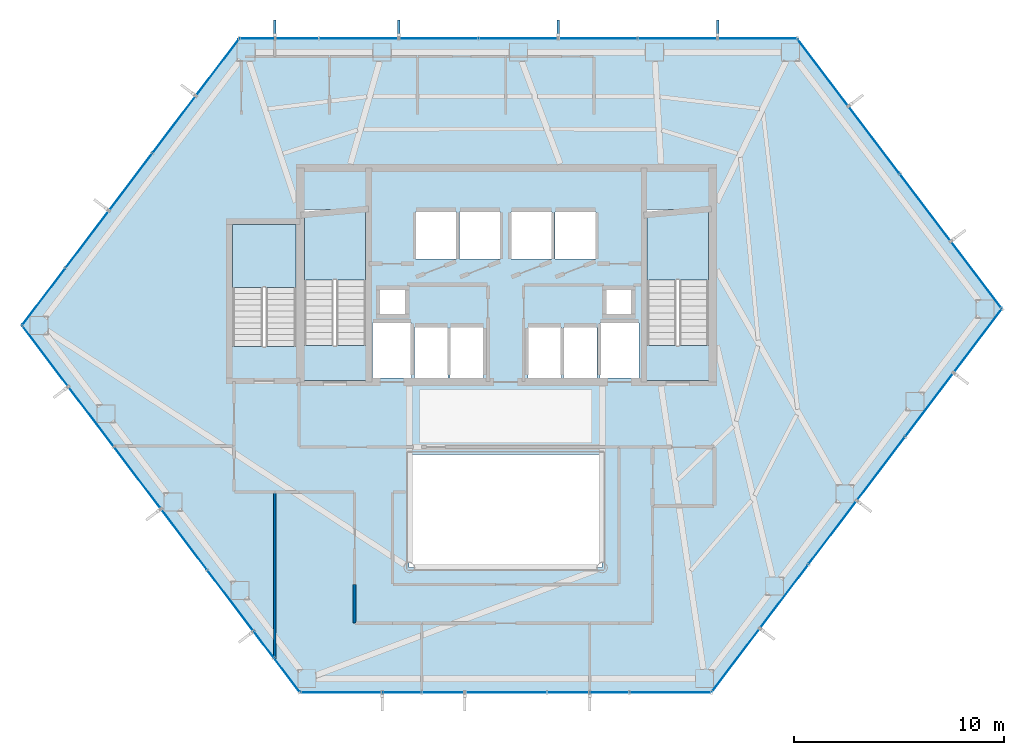
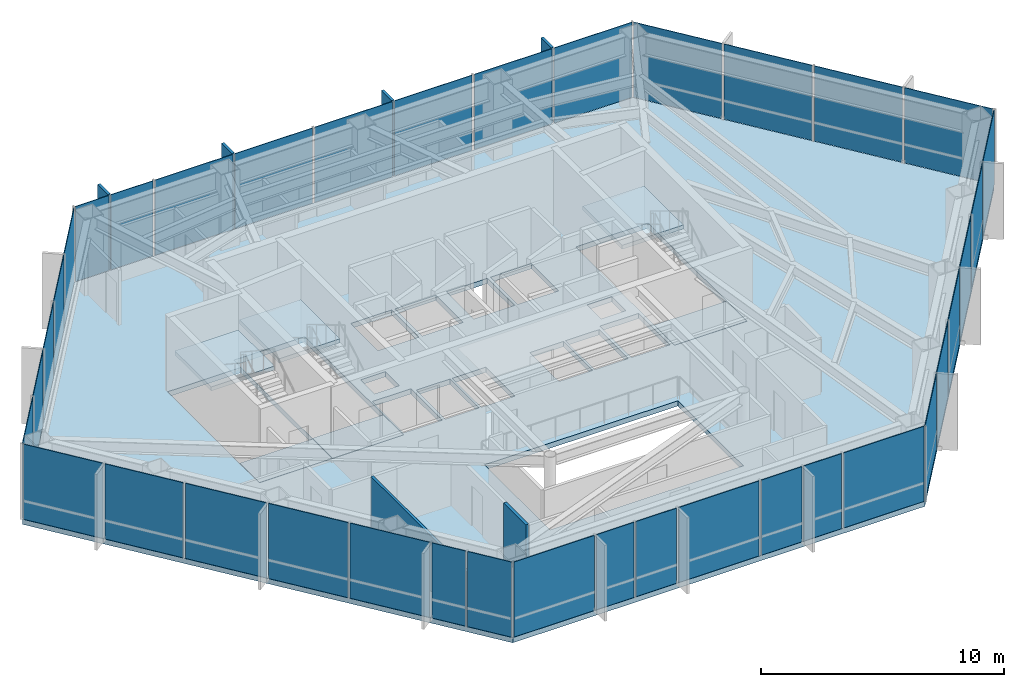
# One storey, part 21 of 25: 37 plates, 7 slabs, 4 members, 2 walls, 9 elements without a shape of their own.
"""IFC4 building model written with IfcOpenShell, lengths in metres."""

from ifc_helpers import new_model, si_unit, direction, frame, frame_2d, origin, origin_2d, place, context, subcontext, project, spatial, polyline, rectangle, outline, extrude, material, layer, layer_set, material_profile, profile_set, type_object, element, aggregate, save


model = new_model("IFC4")

# Units and contexts
model_context = context("Model", 3, precision=1e-05, world=origin(), true_north=direction((0.0, 1.0)))
body_context = subcontext(model_context, "Body", "Model", "MODEL_VIEW")
ifc_project = project(units=[si_unit("LENGTHUNIT", "METRE"), si_unit("AREAUNIT", "SQUARE_METRE"), si_unit("VOLUMEUNIT", "CUBIC_METRE"), si_unit("PLANEANGLEUNIT", "RADIAN"), si_unit("MASSUNIT", "GRAM", prefix="KILO")], contexts=[model_context])

# Site, building, storey
site_placement = place(None, origin())
site = spatial("IfcSite", under=ifc_project, at=site_placement, CompositionType="ELEMENT")
building_placement = place(site_placement, origin())
building = spatial("IfcBuilding", under=site, at=building_placement, Name="Zarrinselat Tower", CompositionType="ELEMENT")
storey_placement = place(building_placement, frame((0.0, 0.0, 84.659912109375)))
storey = spatial("IfcBuildingStorey", under=building, at=storey_placement, Name="L20", CompositionType="ELEMENT", Elevation=84.659912109375)

# Curtain wall, members, plates
ifc_material_1 = material(Name="Extruded Aluminium Alloy EN AW-6063 T6", Category="aluminium")
ifc_layer_1 = layer(ifc_material_1, 0.18505859375)
ifc_layer_set_1 = layer_set([ifc_layer_1], Name="Extruded Aluminium Alloy EN AW-6063 T6")
curtain_wall_type = type_object("IfcCurtainWallType", Name="CWS-OFF", PredefinedType="NOTDEFINED", material=ifc_layer_set_1)
curtain_wall_1_placement = place(storey_placement, origin())
curtain_wall_1 = element("IfcCurtainWall", 1, at=curtain_wall_1_placement, inside=storey, type_object=curtain_wall_type, Name="L20 Unitised Curtain Wall CW-L20-E01", PredefinedType="NOTDEFINED")
ifc_material_2 = material(Name="Honed Cream Travertine Stone", Category="masonry")
ifc_material_profile = material_profile(ifc_material_2, rectangle(XDim=0.1201171875, YDim=0.85009765625, at=origin_2d()), Name="FIN 850x120")
ifc_profile_set = profile_set([ifc_material_profile], Name="Honed Cream Travertine Stone")
member_type = type_object("IfcMemberType", Name="MEM-STONE-FIN", PredefinedType="USERDEFINED", material=ifc_profile_set)
member_1_placement = place(storey_placement, frame((48.493408203125, 50.07666015625, 0.0), z_axis=(0.0, 0.0, 1.0), x_axis=(1.0, 0.0, 0.0)))
member_1 = element("IfcMember", 2, at=member_1_placement, type_object=member_type, Name="L20 Stone Shading Fin CW-L20-E01-01", ObjectType="FIN", PredefinedType="USERDEFINED", context=body_context, shape_type="SweptSolid", body=[
    extrude(rectangle(XDim=0.1201171875, YDim=0.85009765625, at=origin_2d()), origin(), (0.0, 0.0, 1.0), 3.820068359375),
])
member_2_placement = place(storey_placement, frame((40.897216796875, 50.07666015625, 0.0), z_axis=(0.0, 0.0, 1.0), x_axis=(1.0, 0.0, 0.0)))
member_2 = element("IfcMember", 3, at=member_2_placement, type_object=member_type, Name="L20 Stone Shading Fin CW-L20-E01-03", ObjectType="FIN", PredefinedType="USERDEFINED", context=body_context, shape_type="SweptSolid", body=[
    extrude(rectangle(XDim=0.1201171875, YDim=0.85009765625, at=origin_2d()), origin(), (0.0, 0.0, 1.0), 3.820068359375),
])
member_3_placement = place(storey_placement, frame((33.30078125, 50.07666015625, 0.0), z_axis=(0.0, 0.0, 1.0), x_axis=(1.0, 0.0, 0.0)))
member_3 = element("IfcMember", 4, at=member_3_placement, type_object=member_type, Name="L20 Stone Shading Fin CW-L20-E01-05", ObjectType="FIN", PredefinedType="USERDEFINED", context=body_context, shape_type="SweptSolid", body=[
    extrude(rectangle(XDim=0.1201171875, YDim=0.85009765625, at=origin_2d()), origin(), (0.0, 0.0, 1.0), 3.820068359375),
])
member_4_placement = place(storey_placement, frame((27.39990234375, 50.07666015625, 0.0), z_axis=(0.0, 0.0, 1.0), x_axis=(1.0, 0.0, 0.0)))
member_4 = element("IfcMember", 5, at=member_4_placement, type_object=member_type, Name="L20 Stone Shading Fin CW-L20-E01-07", ObjectType="FIN", PredefinedType="USERDEFINED", context=body_context, shape_type="SweptSolid", body=[
    extrude(rectangle(XDim=0.1201171875, YDim=0.85009765625, at=origin_2d()), origin(), (0.0, 0.0, 1.0), 3.820068359375),
])
ifc_material_3 = material(Name="Double Low-E Laminated Solar Glass", Category="glass")
ifc_layer_2 = layer(ifc_material_3, 0.031982421875)
ifc_layer_set_2 = layer_set([ifc_layer_2], Name="Double Low-E Laminated Solar Glass")
plate_type = type_object("IfcPlateType", Name="PLT-CW-GL32", PredefinedType="CURTAIN_PANEL", material=ifc_layer_set_2)
plate_1_placement = place(storey_placement, frame((50.392333984375, 49.61669921875, 0.02001953125), z_axis=(0.0, 0.0, 1.0), x_axis=(-1.0, 0.0, 0.0)))
plate_1 = element("IfcPlate", 6, at=plate_1_placement, type_object=plate_type, Name="CW-L20-E01 Vision Glass Panel 1", PredefinedType="CURTAIN_PANEL", context=body_context, shape_type="SweptSolid", body=[
    extrude(rectangle(XDim=3.697998046875, YDim=0.031982421875, at=origin_2d()), origin(), (0.0, 0.0, 1.0), 3.780029296875),
])
plate_2_placement = place(storey_placement, frame((46.59423828125, 49.61669921875, 0.02001953125), z_axis=(0.0, 0.0, 1.0), x_axis=(-1.0, 0.0, 0.0)))
plate_2 = element("IfcPlate", 7, at=plate_2_placement, type_object=plate_type, Name="CW-L20-E01 Vision Glass Panel 2", PredefinedType="CURTAIN_PANEL", context=body_context, shape_type="SweptSolid", body=[
    extrude(rectangle(XDim=3.697998046875, YDim=0.031982421875, at=origin_2d()), origin(), (0.0, 0.0, 1.0), 3.780029296875),
])
plate_3_placement = place(storey_placement, frame((42.796142578125, 49.61669921875, 0.02001953125), z_axis=(0.0, 0.0, 1.0), x_axis=(-1.0, 0.0, 0.0)))
plate_3 = element("IfcPlate", 8, at=plate_3_placement, type_object=plate_type, Name="CW-L20-E01 Vision Glass Panel 3", PredefinedType="CURTAIN_PANEL", context=body_context, shape_type="SweptSolid", body=[
    extrude(rectangle(XDim=3.697998046875, YDim=0.031982421875, at=origin_2d()), origin(), (0.0, 0.0, 1.0), 3.780029296875),
])
plate_4_placement = place(storey_placement, frame((38.998046875, 49.61669921875, 0.02001953125), z_axis=(0.0, 0.0, 1.0), x_axis=(-1.0, 0.0, 0.0)))
plate_4 = element("IfcPlate", 9, at=plate_4_placement, type_object=plate_type, Name="CW-L20-E01 Vision Glass Panel 4", PredefinedType="CURTAIN_PANEL", context=body_context, shape_type="SweptSolid", body=[
    extrude(rectangle(XDim=3.697998046875, YDim=0.031982421875, at=origin_2d()), origin(), (0.0, 0.0, 1.0), 3.780029296875),
])
plate_5_placement = place(storey_placement, frame((35.199951171875, 49.61669921875, 0.02001953125), z_axis=(0.0, 0.0, 1.0), x_axis=(-1.0, 0.0, 0.0)))
plate_5 = element("IfcPlate", 10, at=plate_5_placement, type_object=plate_type, Name="CW-L20-E01 Vision Glass Panel 5", PredefinedType="CURTAIN_PANEL", context=body_context, shape_type="SweptSolid", body=[
    extrude(rectangle(XDim=3.697998046875, YDim=0.031982421875, at=origin_2d()), origin(), (0.0, 0.0, 1.0), 3.780029296875),
])
plate_6_placement = place(storey_placement, frame((31.401611328125, 49.61669921875, 0.02001953125), z_axis=(0.0, 0.0, 1.0), x_axis=(-1.0, 0.0, 0.0)))
plate_6 = element("IfcPlate", 11, at=plate_6_placement, type_object=plate_type, Name="CW-L20-E01 Vision Glass Panel 6", PredefinedType="CURTAIN_PANEL", context=body_context, shape_type="SweptSolid", body=[
    extrude(rectangle(XDim=3.697998046875, YDim=0.031982421875, at=origin_2d()), origin(), (0.0, 0.0, 1.0), 3.780029296875),
])
plate_7_placement = place(storey_placement, frame((28.451416015625, 49.61669921875, 0.02001953125), z_axis=(0.0, 0.0, 1.0), x_axis=(-1.0, 0.0, 0.0)))
plate_7 = element("IfcPlate", 12, at=plate_7_placement, type_object=plate_type, Name="CW-L20-E01 Vision Glass Panel 7", PredefinedType="CURTAIN_PANEL", context=body_context, shape_type="SweptSolid", body=[
    extrude(rectangle(XDim=2.002685546875, YDim=0.031982421875, at=origin_2d()), origin(), (0.0, 0.0, 1.0), 3.780029296875),
])
plate_8_placement = place(storey_placement, frame((26.55224609375, 49.61669921875, 0.02001953125), z_axis=(0.0, 0.0, 1.0), x_axis=(-1.0, 0.0, 0.0)))
plate_8 = element("IfcPlate", 13, at=plate_8_placement, type_object=plate_type, Name="CW-L20-E01 Vision Glass Panel 8", PredefinedType="CURTAIN_PANEL", context=body_context, shape_type="SweptSolid", body=[
    extrude(rectangle(XDim=1.595458984375, YDim=0.031982421875, at=origin_2d()), origin(), (0.0, 0.0, 1.0), 3.780029296875),
])
aggregate(curtain_wall_1, [member_1, member_2, member_3, member_4, plate_1, plate_2, plate_3, plate_4, plate_5, plate_6, plate_7, plate_8])

# Curtain wall, plates
curtain_wall_2_placement = place(storey_placement, origin())
curtain_wall_2 = element("IfcCurtainWall", 14, at=curtain_wall_2_placement, inside=storey, type_object=curtain_wall_type, Name="L20 Unitised Curtain Wall CW-L20-E02", PredefinedType="NOTDEFINED")
plate_9_placement = place(storey_placement, frame((24.668701171875, 48.24951171875, 0.02001953125), z_axis=(0.0, 0.0, 1.0), x_axis=(-0.603857014451, -0.797092658414, 0.0)))
plate_9 = element("IfcPlate", 15, at=plate_9_placement, type_object=plate_type, Name="CW-L20-E02 Vision Glass Panel 1", PredefinedType="CURTAIN_PANEL", context=body_context, shape_type="SweptSolid", body=[
    extrude(rectangle(XDim=3.330078125, YDim=0.031982421875, at=origin_2d()), origin(), (0.0, 0.0, 1.0), 3.780029296875),
])
plate_10_placement = place(storey_placement, frame((22.597412109375, 45.515380859375, 0.02001953125), z_axis=(0.0, 0.0, 1.0), x_axis=(-0.603857014451, -0.797092658414, 0.0)))
plate_10 = element("IfcPlate", 16, at=plate_10_placement, type_object=plate_type, Name="CW-L20-E02 Vision Glass Panel 2", PredefinedType="CURTAIN_PANEL", context=body_context, shape_type="SweptSolid", body=[
    extrude(rectangle(XDim=3.330078125, YDim=0.031982421875, at=origin_2d()), origin(), (0.0, 0.0, 1.0), 3.780029296875),
])
plate_11_placement = place(storey_placement, frame((20.526123046875, 42.78125, 0.02001953125), z_axis=(0.0, 0.0, 1.0), x_axis=(-0.603857014451, -0.797092658414, 0.0)))
plate_11 = element("IfcPlate", 17, at=plate_11_placement, type_object=plate_type, Name="CW-L20-E02 Vision Glass Panel 3", PredefinedType="CURTAIN_PANEL", context=body_context, shape_type="SweptSolid", body=[
    extrude(rectangle(XDim=3.330078125, YDim=0.031982421875, at=origin_2d()), origin(), (0.0, 0.0, 1.0), 3.780029296875),
])
plate_12_placement = place(storey_placement, frame((18.45458984375, 40.047119140625, 0.02001953125), z_axis=(0.0, 0.0, 1.0), x_axis=(-0.603857014451, -0.797092658414, 0.0)))
plate_12 = element("IfcPlate", 18, at=plate_12_placement, type_object=plate_type, Name="CW-L20-E02 Vision Glass Panel 4", PredefinedType="CURTAIN_PANEL", context=body_context, shape_type="SweptSolid", body=[
    extrude(rectangle(XDim=3.330078125, YDim=0.031982421875, at=origin_2d()), origin(), (0.0, 0.0, 1.0), 3.780029296875),
])
plate_13_placement = place(storey_placement, frame((16.38330078125, 37.312744140625, 0.02001953125), z_axis=(0.0, 0.0, 1.0), x_axis=(-0.603857014451, -0.797092658414, 0.0)))
plate_13 = element("IfcPlate", 19, at=plate_13_placement, type_object=plate_type, Name="CW-L20-E02 Vision Glass Panel 5", PredefinedType="CURTAIN_PANEL", context=body_context, shape_type="SweptSolid", body=[
    extrude(rectangle(XDim=3.330078125, YDim=0.031982421875, at=origin_2d()), origin(), (0.0, 0.0, 1.0), 3.780029296875),
])
aggregate(curtain_wall_2, [plate_9, plate_10, plate_11, plate_12, plate_13])

curtain_wall_3_placement = place(storey_placement, origin())
curtain_wall_3 = element("IfcCurtainWall", 20, at=curtain_wall_3_placement, inside=storey, type_object=curtain_wall_type, Name="L20 Unitised Curtain Wall CW-L20-E03", PredefinedType="NOTDEFINED")
plate_14_placement = place(storey_placement, frame((16.45166015625, 34.488525390625, 0.02001953125), z_axis=(0.0, 0.0, 1.0), x_axis=(0.603856459269, -0.797093079006, 0.0)))
plate_14 = element("IfcPlate", 21, at=plate_14_placement, type_object=plate_type, Name="CW-L20-E03 Vision Glass Panel 1", PredefinedType="CURTAIN_PANEL", context=body_context, shape_type="SweptSolid", body=[
    extrude(rectangle(XDim=3.55615234375, YDim=0.031982421875, at=origin_2d()), origin(), (0.0, 0.0, 1.0), 3.780029296875),
])
plate_15_placement = place(storey_placement, frame((18.6416015625, 31.59765625, 0.02001953125), z_axis=(0.0, 0.0, 1.0), x_axis=(0.603856459269, -0.797093079006, 0.0)))
plate_15 = element("IfcPlate", 22, at=plate_15_placement, type_object=plate_type, Name="CW-L20-E03 Vision Glass Panel 2", PredefinedType="CURTAIN_PANEL", context=body_context, shape_type="SweptSolid", body=[
    extrude(rectangle(XDim=3.497802734375, YDim=0.031982421875, at=origin_2d()), origin(), (0.0, 0.0, 1.0), 3.780029296875),
])
plate_16_placement = place(storey_placement, frame((20.849609375, 28.683349609375, 0.02001953125), z_axis=(0.0, 0.0, 1.0), x_axis=(0.603856459269, -0.797093079006, 0.0)))
plate_16 = element("IfcPlate", 23, at=plate_16_placement, type_object=plate_type, Name="CW-L20-E03 Vision Glass Panel 3", PredefinedType="CURTAIN_PANEL", context=body_context, shape_type="SweptSolid", body=[
    extrude(rectangle(XDim=3.614501953125, YDim=0.031982421875, at=origin_2d()), origin(), (0.0, 0.0, 1.0), 3.780029296875),
])
plate_17_placement = place(storey_placement, frame((23.074951171875, 25.74560546875, 0.02001953125), z_axis=(0.0, 0.0, 1.0), x_axis=(0.603856459269, -0.797093079006, 0.0)))
plate_17 = element("IfcPlate", 24, at=plate_17_placement, type_object=plate_type, Name="CW-L20-E03 Vision Glass Panel 4", PredefinedType="CURTAIN_PANEL", context=body_context, shape_type="SweptSolid", body=[
    extrude(rectangle(XDim=3.55615234375, YDim=0.031982421875, at=origin_2d()), origin(), (0.0, 0.0, 1.0), 3.780029296875),
])
plate_18_placement = place(storey_placement, frame((25.28271484375, 22.831298828125, 0.02001953125), z_axis=(0.0, 0.0, 1.0), x_axis=(0.603856459269, -0.797093079006, 0.0)))
plate_18 = element("IfcPlate", 25, at=plate_18_placement, type_object=plate_type, Name="CW-L20-E03 Vision Glass Panel 5", PredefinedType="CURTAIN_PANEL", context=body_context, shape_type="SweptSolid", body=[
    extrude(rectangle(XDim=3.55615234375, YDim=0.031982421875, at=origin_2d()), origin(), (0.0, 0.0, 1.0), 3.780029296875),
])
plate_19_placement = place(storey_placement, frame((26.869384765625, 20.737060546875, 0.02001953125), z_axis=(0.0, 0.0, 1.0), x_axis=(0.603856459269, -0.797093079006, 0.0)))
plate_19 = element("IfcPlate", 26, at=plate_19_placement, type_object=plate_type, Name="CW-L20-E03 Vision Glass Panel 6", PredefinedType="CURTAIN_PANEL", context=body_context, shape_type="SweptSolid", body=[
    extrude(rectangle(XDim=1.4990234375, YDim=0.031982421875, at=origin_2d()), origin(), (0.0, 0.0, 1.0), 3.780029296875),
])
plate_20_placement = place(storey_placement, frame((27.973388671875, 19.27978515625, 0.02001953125), z_axis=(0.0, 0.0, 1.0), x_axis=(0.603856459269, -0.797093079006, 0.0)))
plate_20 = element("IfcPlate", 27, at=plate_20_placement, type_object=plate_type, Name="CW-L20-E03 Vision Glass Panel 7", PredefinedType="CURTAIN_PANEL", context=body_context, shape_type="SweptSolid", body=[
    extrude(rectangle(XDim=1.957275390625, YDim=0.031982421875, at=origin_2d()), origin(), (0.0, 0.0, 1.0), 3.780029296875),
])
aggregate(curtain_wall_3, [plate_14, plate_15, plate_16, plate_17, plate_18, plate_19, plate_20])

curtain_wall_4_placement = place(storey_placement, origin())
curtain_wall_4 = element("IfcCurtainWall", 28, at=curtain_wall_4_placement, inside=storey, type_object=curtain_wall_type, Name="L20 Unitised Curtain Wall CW-L20-E04", PredefinedType="NOTDEFINED")
plate_21_placement = place(storey_placement, frame((30.555419921875, 18.4599609375, 0.02001953125), z_axis=(0.0, 0.0, 1.0), x_axis=(1.0, 0.0, 0.0)))
plate_21 = element("IfcPlate", 29, at=plate_21_placement, type_object=plate_type, Name="CW-L20-E04 Vision Glass Panel 1", PredefinedType="CURTAIN_PANEL", context=body_context, shape_type="SweptSolid", body=[
    extrude(rectangle(XDim=3.822265625, YDim=0.031982421875, at=origin_2d()), origin(), (0.0, 0.0, 1.0), 3.780029296875),
])
plate_22_placement = place(storey_placement, frame((33.458251953125, 18.4599609375, 0.02001953125), z_axis=(0.0, 0.0, 1.0), x_axis=(1.0, 0.0, 0.0)))
plate_22 = element("IfcPlate", 30, at=plate_22_placement, type_object=plate_type, Name="CW-L20-E04 Vision Glass Panel 2", PredefinedType="CURTAIN_PANEL", context=body_context, shape_type="SweptSolid", body=[
    extrude(rectangle(XDim=1.783447265625, YDim=0.031982421875, at=origin_2d()), origin(), (0.0, 0.0, 1.0), 3.780029296875),
])
plate_23_placement = place(storey_placement, frame((35.41943359375, 18.4599609375, 0.02001953125), z_axis=(0.0, 0.0, 1.0), x_axis=(1.0, 0.0, 0.0)))
plate_23 = element("IfcPlate", 31, at=plate_23_placement, type_object=plate_type, Name="CW-L20-E04 Vision Glass Panel 3", PredefinedType="CURTAIN_PANEL", context=body_context, shape_type="SweptSolid", body=[
    extrude(rectangle(XDim=1.93896484375, YDim=0.031982421875, at=origin_2d()), origin(), (0.0, 0.0, 1.0), 3.780029296875),
])
plate_24_placement = place(storey_placement, frame((38.39990234375, 18.4599609375, 0.02001953125), z_axis=(0.0, 0.0, 1.0), x_axis=(1.0, 0.0, 0.0)))
plate_24 = element("IfcPlate", 32, at=plate_24_placement, type_object=plate_type, Name="CW-L20-E04 Vision Glass Panel 4", PredefinedType="CURTAIN_PANEL", context=body_context, shape_type="SweptSolid", body=[
    extrude(rectangle(XDim=3.822265625, YDim=0.031982421875, at=origin_2d()), origin(), (0.0, 0.0, 1.0), 3.780029296875),
])
plate_25_placement = place(storey_placement, frame((41.380615234375, 18.4599609375, 0.02001953125), z_axis=(0.0, 0.0, 1.0), x_axis=(1.0, 0.0, 0.0)))
plate_25 = element("IfcPlate", 33, at=plate_25_placement, type_object=plate_type, Name="CW-L20-E04 Vision Glass Panel 5", PredefinedType="CURTAIN_PANEL", context=body_context, shape_type="SweptSolid", body=[
    extrude(rectangle(XDim=1.93896484375, YDim=0.031982421875, at=origin_2d()), origin(), (0.0, 0.0, 1.0), 3.780029296875),
])
plate_26_placement = place(storey_placement, frame((43.341796875, 18.4599609375, 0.02001953125), z_axis=(0.0, 0.0, 1.0), x_axis=(1.0, 0.0, 0.0)))
plate_26 = element("IfcPlate", 34, at=plate_26_placement, type_object=plate_type, Name="CW-L20-E04 Vision Glass Panel 6", PredefinedType="CURTAIN_PANEL", context=body_context, shape_type="SweptSolid", body=[
    extrude(rectangle(XDim=1.783447265625, YDim=0.031982421875, at=origin_2d()), origin(), (0.0, 0.0, 1.0), 3.780029296875),
])
plate_27_placement = place(storey_placement, frame((46.244384765625, 18.4599609375, 0.02001953125), z_axis=(0.0, 0.0, 1.0), x_axis=(1.0, 0.0, 0.0)))
plate_27 = element("IfcPlate", 35, at=plate_27_placement, type_object=plate_type, Name="CW-L20-E04 Vision Glass Panel 7", PredefinedType="CURTAIN_PANEL", context=body_context, shape_type="SweptSolid", body=[
    extrude(rectangle(XDim=3.822265625, YDim=0.031982421875, at=origin_2d()), origin(), (0.0, 0.0, 1.0), 3.780029296875),
])
aggregate(curtain_wall_4, [plate_21, plate_22, plate_23, plate_24, plate_25, plate_26, plate_27])

curtain_wall_5_placement = place(storey_placement, origin())
curtain_wall_5 = element("IfcCurtainWall", 36, at=curtain_wall_5_placement, inside=storey, type_object=curtain_wall_type, Name="L20 Unitised Curtain Wall CW-L20-E05", PredefinedType="NOTDEFINED")
plate_28_placement = place(storey_placement, frame((49.359375, 19.98291015625, 0.02001953125), z_axis=(0.0, 0.0, 1.0), x_axis=(0.603855672579, 0.797093674981, 0.0)))
plate_28 = element("IfcPlate", 37, at=plate_28_placement, type_object=plate_type, Name="CW-L20-E05 Vision Glass Panel 1", PredefinedType="CURTAIN_PANEL", context=body_context, shape_type="SweptSolid", body=[
    extrude(rectangle(XDim=3.72119140625, YDim=0.031982421875, at=origin_2d()), origin(), (0.0, 0.0, 1.0), 3.780029296875),
])
plate_29_placement = place(storey_placement, frame((51.666748046875, 23.02880859375, 0.02001953125), z_axis=(0.0, 0.0, 1.0), x_axis=(0.603855672579, 0.797093674981, 0.0)))
plate_29 = element("IfcPlate", 38, at=plate_29_placement, type_object=plate_type, Name="CW-L20-E05 Vision Glass Panel 2", PredefinedType="CURTAIN_PANEL", context=body_context, shape_type="SweptSolid", body=[
    extrude(rectangle(XDim=3.72119140625, YDim=0.031982421875, at=origin_2d()), origin(), (0.0, 0.0, 1.0), 3.780029296875),
])
plate_30_placement = place(storey_placement, frame((53.97412109375, 26.07470703125, 0.02001953125), z_axis=(0.0, 0.0, 1.0), x_axis=(0.603855672579, 0.797093674981, 0.0)))
plate_30 = element("IfcPlate", 39, at=plate_30_placement, type_object=plate_type, Name="CW-L20-E05 Vision Glass Panel 3", PredefinedType="CURTAIN_PANEL", context=body_context, shape_type="SweptSolid", body=[
    extrude(rectangle(XDim=3.72119140625, YDim=0.031982421875, at=origin_2d()), origin(), (0.0, 0.0, 1.0), 3.780029296875),
])
plate_31_placement = place(storey_placement, frame((56.28173828125, 29.12060546875, 0.02001953125), z_axis=(0.0, 0.0, 1.0), x_axis=(0.603855672579, 0.797093674981, 0.0)))
plate_31 = element("IfcPlate", 40, at=plate_31_placement, type_object=plate_type, Name="CW-L20-E05 Vision Glass Panel 4", PredefinedType="CURTAIN_PANEL", context=body_context, shape_type="SweptSolid", body=[
    extrude(rectangle(XDim=3.72119140625, YDim=0.031982421875, at=origin_2d()), origin(), (0.0, 0.0, 1.0), 3.780029296875),
])
plate_32_placement = place(storey_placement, frame((58.589111328125, 32.166259765625, 0.02001953125), z_axis=(0.0, 0.0, 1.0), x_axis=(0.603855672579, 0.797093674981, 0.0)))
plate_32 = element("IfcPlate", 41, at=plate_32_placement, type_object=plate_type, Name="CW-L20-E05 Vision Glass Panel 5", PredefinedType="CURTAIN_PANEL", context=body_context, shape_type="SweptSolid", body=[
    extrude(rectangle(XDim=3.72119140625, YDim=0.031982421875, at=origin_2d()), origin(), (0.0, 0.0, 1.0), 3.780029296875),
])
plate_33_placement = place(storey_placement, frame((60.896484375, 35.212158203125, 0.02001953125), z_axis=(0.0, 0.0, 1.0), x_axis=(0.603855672579, 0.797093674981, 0.0)))
plate_33 = element("IfcPlate", 42, at=plate_33_placement, type_object=plate_type, Name="CW-L20-E05 Vision Glass Panel 6", PredefinedType="CURTAIN_PANEL", context=body_context, shape_type="SweptSolid", body=[
    extrude(rectangle(XDim=3.72119140625, YDim=0.031982421875, at=origin_2d()), origin(), (0.0, 0.0, 1.0), 3.780029296875),
])
aggregate(curtain_wall_5, [plate_28, plate_29, plate_30, plate_31, plate_32, plate_33])

curtain_wall_6_placement = place(storey_placement, origin())
curtain_wall_6 = element("IfcCurtainWall", 43, at=curtain_wall_6_placement, inside=storey, type_object=curtain_wall_type, Name="L20 Unitised Curtain Wall CW-L20-E06", PredefinedType="NOTDEFINED")
plate_34_placement = place(storey_placement, frame((60.830322265625, 38.34521484375, 0.02001953125), z_axis=(0.0, 0.0, 1.0), x_axis=(-0.603858164533, 0.797091787141, 0.0)))
plate_34 = element("IfcPlate", 44, at=plate_34_placement, type_object=plate_type, Name="CW-L20-E06 Vision Glass Panel 1", PredefinedType="CURTAIN_PANEL", context=body_context, shape_type="SweptSolid", body=[
    extrude(rectangle(XDim=3.940185546875, YDim=0.031982421875, at=origin_2d()), origin(), (0.0, 0.0, 1.0), 3.780029296875),
])
plate_35_placement = place(storey_placement, frame((58.390625, 41.565673828125, 0.02001953125), z_axis=(0.0, 0.0, 1.0), x_axis=(-0.603858164533, 0.797091787141, 0.0)))
plate_35 = element("IfcPlate", 45, at=plate_35_placement, type_object=plate_type, Name="CW-L20-E06 Vision Glass Panel 2", PredefinedType="CURTAIN_PANEL", context=body_context, shape_type="SweptSolid", body=[
    extrude(rectangle(XDim=3.940185546875, YDim=0.031982421875, at=origin_2d()), origin(), (0.0, 0.0, 1.0), 3.780029296875),
])
plate_36_placement = place(storey_placement, frame((55.950927734375, 44.7861328125, 0.02001953125), z_axis=(0.0, 0.0, 1.0), x_axis=(-0.603858164533, 0.797091787141, 0.0)))
plate_36 = element("IfcPlate", 46, at=plate_36_placement, type_object=plate_type, Name="CW-L20-E06 Vision Glass Panel 3", PredefinedType="CURTAIN_PANEL", context=body_context, shape_type="SweptSolid", body=[
    extrude(rectangle(XDim=3.940185546875, YDim=0.031982421875, at=origin_2d()), origin(), (0.0, 0.0, 1.0), 3.780029296875),
])
plate_37_placement = place(storey_placement, frame((53.511474609375, 48.006591796875, 0.02001953125), z_axis=(0.0, 0.0, 1.0), x_axis=(-0.603858164533, 0.797091787141, 0.0)))
plate_37 = element("IfcPlate", 47, at=plate_37_placement, type_object=plate_type, Name="CW-L20-E06 Vision Glass Panel 4", PredefinedType="CURTAIN_PANEL", context=body_context, shape_type="SweptSolid", body=[
    extrude(rectangle(XDim=3.940185546875, YDim=0.031982421875, at=origin_2d()), origin(), (0.0, 0.0, 1.0), 3.780029296875),
])
aggregate(curtain_wall_6, [plate_34, plate_35, plate_36, plate_37])

# Slabs
ifc_material_4 = material(Name="Concrete C40/50", Category="concrete")
ifc_layer_3 = layer(ifc_material_4, 0.260009765625)
ifc_layer_set_3 = layer_set([ifc_layer_3], Name="Concrete C40/50")
slab_type_1 = type_object("IfcSlabType", Name="SLB-FLOOR-260-SL-OF260", PredefinedType="FLOOR", material=ifc_layer_set_3)
slab_1_placement = place(storey_placement, frame((0.0, 0.0, -0.260009765625)))
element("IfcSlab", 48, at=slab_1_placement, inside=storey, type_object=slab_type_1, Name="L20 Primary Structural Slab", PredefinedType="FLOOR", context=body_context, shape_type="SweptSolid", body=[
    extrude(outline(polyline([(52.29150390625, 49.61669921875), (25.70458984375, 49.61669921875), (15.34765625, 35.94580078125), (28.594482421875, 18.4599609375), (48.20556640625, 18.4599609375), (62.05029296875, 36.735107421875), (52.29150390625, 49.61669921875)]), holes=[polyline([(34.050048828125, 33.449951171875), (34.050048828125, 35.85009765625), (35.64990234375, 35.85009765625), (35.64990234375, 33.449951171875), (34.050048828125, 33.449951171875)]), polyline([(35.75, 33.449951171875), (35.75, 35.85009765625), (37.35009765625, 35.85009765625), (37.35009765625, 33.449951171875), (35.75, 33.449951171875)]), polyline([(32.06005859375, 33.449951171875), (32.06005859375, 36.050048828125), (33.89990234375, 36.050048828125), (33.89990234375, 33.449951171875), (32.06005859375, 33.449951171875)]), polyline([(32.419921875, 36.47998046875), (32.419921875, 37.639892578125), (33.60009765625, 37.639892578125), (33.60009765625, 36.47998046875), (32.419921875, 36.47998046875)]), polyline([(28.594970703125, 33.324951171875), (25.114990234375, 33.324951171875), (25.114990234375, 40.875), (28.594970703125, 40.875), (28.594970703125, 33.324951171875)]), polyline([(31.985107421875, 33.324951171875), (28.60498046875, 33.324951171875), (28.60498046875, 41.47509765625), (31.985107421875, 41.47509765625), (31.985107421875, 33.324951171875)]), polyline([(34.10009765625, 39.10009765625), (34.10009765625, 41.35009765625), (36.050048828125, 41.35009765625), (36.050048828125, 39.10009765625), (34.10009765625, 39.10009765625)]), polyline([(36.199951171875, 39.10009765625), (36.199951171875, 41.35009765625), (38.14990234375, 41.35009765625), (38.14990234375, 39.10009765625), (36.199951171875, 39.10009765625)]), polyline([(33.800048828125, 24.39990234375), (33.800048828125, 29.800048828125), (43.0, 29.800048828125), (43.0, 24.39990234375), (33.800048828125, 24.39990234375)]), polyline([(39.449951171875, 33.449951171875), (39.449951171875, 35.85009765625), (41.050048828125, 35.85009765625), (41.050048828125, 33.449951171875), (39.449951171875, 33.449951171875)]), polyline([(41.14990234375, 33.449951171875), (41.14990234375, 35.85009765625), (42.75, 35.85009765625), (42.75, 33.449951171875), (41.14990234375, 33.449951171875)]), polyline([(42.89990234375, 33.449951171875), (42.89990234375, 36.050048828125), (44.739990234375, 36.050048828125), (44.739990234375, 33.449951171875), (42.89990234375, 33.449951171875)]), polyline([(43.199951171875, 36.47998046875), (43.199951171875, 37.639892578125), (44.3798828125, 37.639892578125), (44.3798828125, 36.47998046875), (43.199951171875, 36.47998046875)]), polyline([(48.324951171875, 33.324951171875), (44.875, 33.324951171875), (44.875, 41.47509765625), (48.324951171875, 41.47509765625), (48.324951171875, 33.324951171875)]), polyline([(38.64990234375, 39.10009765625), (38.64990234375, 41.35009765625), (40.60009765625, 41.35009765625), (40.60009765625, 39.10009765625), (38.64990234375, 39.10009765625)]), polyline([(40.75, 39.10009765625), (40.75, 41.35009765625), (42.699951171875, 41.35009765625), (42.699951171875, 39.10009765625), (40.75, 39.10009765625)])]), origin(), (0.0, 0.0, 1.0), 0.260009765625),
])
slab_2_placement = place(storey_placement, frame((0.0, 0.0, -0.260009765625)))
element("IfcSlab", 49, at=slab_2_placement, inside=storey, type_object=slab_type_1, Name="L20 Stair ST-1-FL1 Structural Floor Landing", PredefinedType="FLOOR", context=body_context, shape_type="SweptSolid", body=[
    extrude(outline(polyline([(31.97998046875, 33.330078125), (31.97998046875, 35.0), (28.610107421875, 35.0), (28.610107421875, 33.330078125), (31.97998046875, 33.330078125)])), origin(), (0.0, 0.0, 1.0), 0.260009765625),
])
slab_3_placement = place(storey_placement, frame((0.0, 0.0, -0.260009765625)))
element("IfcSlab", 50, at=slab_3_placement, inside=storey, type_object=slab_type_1, Name="L20 Stair ST-2-FL1 Structural Floor Landing", PredefinedType="FLOOR", context=body_context, shape_type="SweptSolid", body=[
    extrude(outline(polyline([(48.320068359375, 33.330078125), (48.320068359375, 35.0), (44.8798828125, 35.0), (44.8798828125, 33.330078125), (48.320068359375, 33.330078125)])), origin(), (0.0, 0.0, 1.0), 0.260009765625),
])
slab_4_placement = place(storey_placement, frame((0.0, 0.0, -0.260009765625)))
element("IfcSlab", 51, at=slab_4_placement, inside=storey, type_object=slab_type_1, Name="L20 Stair ST-3-FL1 Structural Floor Landing", PredefinedType="FLOOR", context=body_context, shape_type="SweptSolid", body=[
    extrude(outline(polyline([(28.590087890625, 33.330078125), (28.590087890625, 34.949951171875), (25.1201171875, 34.949951171875), (25.1201171875, 33.330078125), (28.590087890625, 33.330078125)])), origin(), (0.0, 0.0, 1.0), 0.260009765625),
])

# Stair, slab
ifc_material_5 = material(Name="Concrete C40/50", Category="concrete")
stair_type_1 = type_object("IfcStairType", Name="STR-CORE-145", PredefinedType="HALF_TURN_STAIR", material=ifc_material_5)
stair_1_placement = place(storey_placement, origin())
stair_1 = element("IfcStair", 52, at=stair_1_placement, inside=storey, type_object=stair_type_1, Name="L20 Podium & Mid-Tower Exit Stair 3", PredefinedType="HALF_TURN_STAIR")
ifc_material_6 = material(Name="Concrete C40/50", Category="concrete")
ifc_layer_4 = layer(ifc_material_6, 0.1650390625)
ifc_layer_set_4 = layer_set([ifc_layer_4], Name="Concrete C40/50")
slab_type_2 = type_object("IfcSlabType", Name="SLB-LND-165", PredefinedType="LANDING", material=ifc_layer_set_4)
slab_5_placement = place(storey_placement, frame((0.0, 0.0, 1.840087890625)))
slab_5 = element("IfcSlab", 53, at=slab_5_placement, type_object=slab_type_2, Name="ST-3 landing 1", PredefinedType="LANDING", context=body_context, shape_type="SweptSolid", body=[
    extrude(outline(polyline([(28.39990234375, 37.75), (28.39990234375, 40.75), (25.3798828125, 40.75), (25.3798828125, 37.75), (28.39990234375, 37.75)])), origin(), (0.0, 0.0, 1.0), 0.199951171875),
])
aggregate(stair_1, [slab_5])

ifc_material_7 = material(Name="Concrete C40/50", Category="concrete")
stair_type_2 = type_object("IfcStairType", Name="STR-CORE-155", PredefinedType="HALF_TURN_STAIR", material=ifc_material_7)
stair_2_placement = place(storey_placement, origin())
stair_2 = element("IfcStair", 54, at=stair_2_placement, inside=storey, type_object=stair_type_2, Name="L20 Core Exit Stair 1", PredefinedType="HALF_TURN_STAIR")
ifc_material_8 = material(Name="Concrete C40/50", Category="concrete")
ifc_layer_5 = layer(ifc_material_8, 0.18994140625)
ifc_layer_set_5 = layer_set([ifc_layer_5], Name="Concrete C40/50")
slab_type_3 = type_object("IfcSlabType", Name="SLB-LND-190", PredefinedType="LANDING", material=ifc_layer_set_5)
slab_6_placement = place(storey_placement, frame((0.0, 0.0, 1.840087890625)))
slab_6 = element("IfcSlab", 55, at=slab_6_placement, type_object=slab_type_3, Name="ST-1 landing 1", PredefinedType="LANDING", context=body_context, shape_type="SweptSolid", body=[
    extrude(outline(polyline([(31.719970703125, 38.10009765625), (31.719970703125, 41.35009765625), (28.800048828125, 41.35009765625), (28.800048828125, 38.10009765625), (31.719970703125, 38.10009765625)])), origin(), (0.0, 0.0, 1.0), 0.199951171875),
])
aggregate(stair_2, [slab_6])

stair_3_placement = place(storey_placement, origin())
stair_3 = element("IfcStair", 56, at=stair_3_placement, inside=storey, type_object=stair_type_2, Name="L20 Core Exit Stair 2", PredefinedType="HALF_TURN_STAIR")
slab_7_placement = place(storey_placement, frame((0.0, 0.0, 1.840087890625)))
slab_7 = element("IfcSlab", 57, at=slab_7_placement, type_object=slab_type_3, Name="ST-2 landing 1", PredefinedType="LANDING", context=body_context, shape_type="SweptSolid", body=[
    extrude(outline(polyline([(48.06005859375, 38.10009765625), (48.06005859375, 41.35009765625), (45.139892578125, 41.35009765625), (45.139892578125, 38.10009765625), (48.06005859375, 38.10009765625)])), origin(), (0.0, 0.0, 1.0), 0.199951171875),
])
aggregate(stair_3, [slab_7])

# Walls
ifc_material_9 = material(Name="Fire-Rated Gypsum Board Partition", Category="gypsum")
ifc_layer_6 = layer(ifc_material_9, 0.14990234375)
ifc_layer_set_6 = layer_set([ifc_layer_6], Name="Fire-Rated Gypsum Board Partition")
wall_type_1 = type_object("IfcWallType", Name="WAL-PART-EI60", PredefinedType="PARTITIONING", material=ifc_layer_set_6)
wall_1_placement = place(storey_placement, frame((31.199951171875, 21.77001953125, 0.0), z_axis=(0.0, 0.0, 1.0), x_axis=(0.0, 1.0, 0.0)))
element("IfcWall", 58, at=wall_1_placement, inside=storey, type_object=wall_type_1, Name="L20 Partition Wall 19", PredefinedType="PARTITIONING", context=body_context, shape_type="SweptSolid", body=[
    extrude(rectangle(XDim=1.830078125, YDim=0.14990234375, at=frame_2d((0.9150390625, 0.0))), origin(), (0.0, 0.0, 1.0), 2.777099609375),
])
ifc_material_10 = material(Name="Fire-Rated Gypsum Board Partition", Category="gypsum")
ifc_layer_7 = layer(ifc_material_10, 0.1201171875)
ifc_layer_set_7 = layer_set([ifc_layer_7], Name="Fire-Rated Gypsum Board Partition")
wall_type_2 = type_object("IfcWallType", Name="WAL-PART-STD", PredefinedType="PARTITIONING", material=ifc_layer_set_7)
wall_2_placement = place(storey_placement, frame((27.39990234375, 20.051513671875, 0.0), z_axis=(0.0, 0.0, 1.0), x_axis=(0.0, 1.0, 0.0)))
element("IfcWall", 59, at=wall_2_placement, inside=storey, type_object=wall_type_2, Name="L20 Partition Wall 46", PredefinedType="PARTITIONING", context=body_context, shape_type="SweptSolid", body=[
    extrude(rectangle(XDim=7.928466796875, YDim=0.1201171875, at=frame_2d((3.96435546875, 0.0))), origin(), (0.0, 0.0, 1.0), 2.777099609375),
])

save(model, "model.ifc")
